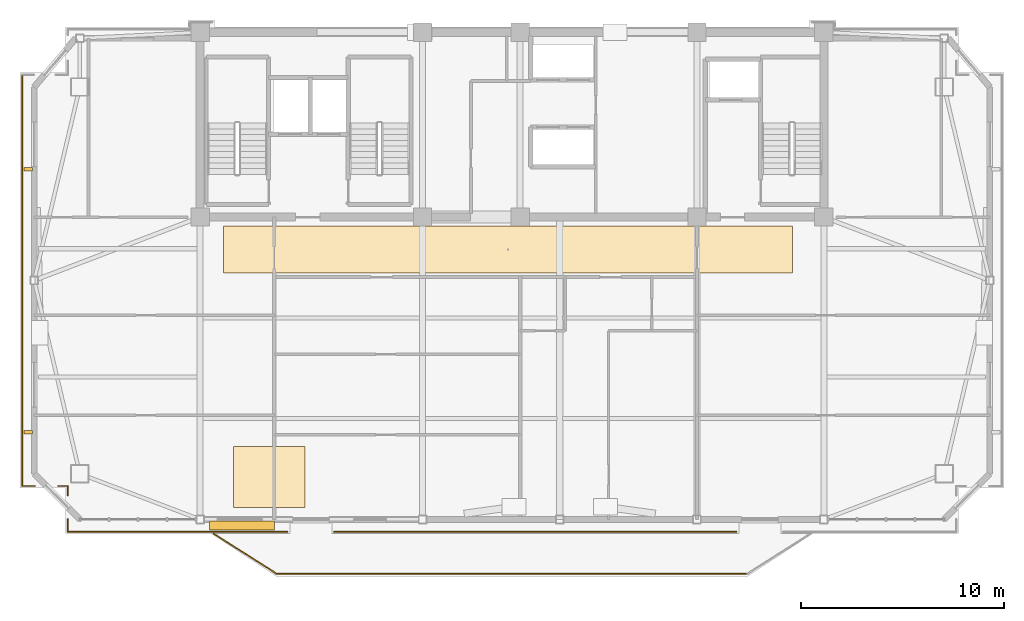
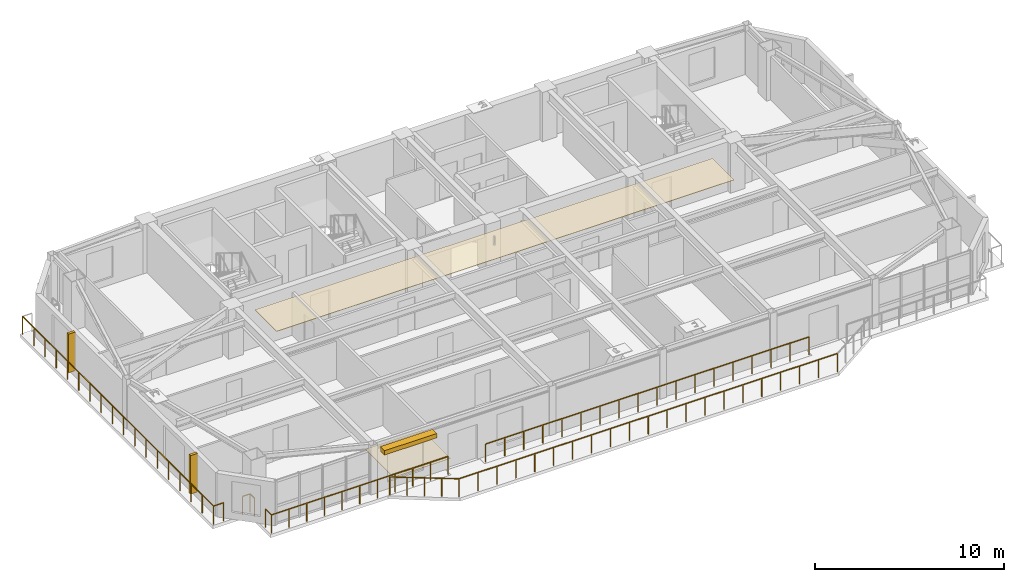
# One storey, part 10 of 12: 9 railings, 3 shading devices, 2 coverings.
"""IFC4 building model written with IfcOpenShell, lengths in metres."""

from ifc_helpers import new_model, si_unit, direction, frame, origin, origin_2d, place, context, subcontext, project, spatial, polyline, rectangle, outline, extrude, source, transform, mapped, material, layer, layer_set, type_object, element, save


model = new_model("IFC4")

# Units and contexts
model_context = context("Model", 3, precision=1e-05, world=origin(), true_north=direction((0.0, 1.0)))
body_context = subcontext(model_context, "Body", "Model", "MODEL_VIEW")
ifc_project = project(units=[si_unit("LENGTHUNIT", "METRE"), si_unit("AREAUNIT", "SQUARE_METRE"), si_unit("VOLUMEUNIT", "CUBIC_METRE"), si_unit("PLANEANGLEUNIT", "RADIAN"), si_unit("MASSUNIT", "GRAM", prefix="KILO")], contexts=[model_context])

# Site, building, storey
site_placement = place(None, origin())
site = spatial("IfcSite", under=ifc_project, at=site_placement, CompositionType="ELEMENT")
building_placement = place(site_placement, origin())
building = spatial("IfcBuilding", under=site, at=building_placement, Name="Giltprow Tower", CompositionType="ELEMENT")
storey_placement = place(building_placement, frame((0.0, 0.0, 339.10009765625)))
storey = spatial("IfcBuildingStorey", under=building, at=storey_placement, Name="L88", CompositionType="ELEMENT", Elevation=339.10009765625)

# Coverings
ifc_material_1 = material(Name="Painted gypsum board", Category="gypsum")
ifc_layer_1 = layer(ifc_material_1, 0.030029296875, Name="Painted gypsum board")
ifc_layer_set_1 = layer_set([ifc_layer_1], Name="Painted gypsum board")
covering_type_1 = type_object("IfcCoveringType", Name="COV-CLG-GYPSUM", PredefinedType="CEILING", material=ifc_layer_set_1)
covering_1_placement = place(storey_placement, frame((0.0, 0.0, 2.619873046875)))
element("IfcCovering", 1, at=covering_1_placement, inside=storey, type_object=covering_type_1, Name="L88 Residence Gallery Ceiling", PredefinedType="CEILING", context=body_context, shape_type="SweptSolid", body=[
    extrude(outline(polyline([(21.0, 34.699951171875), (49.0, 34.699951171875), (49.0, 37.0), (21.0, 37.0), (21.0, 34.699951171875)])), origin(), (0.0, 0.0, 1.0), 0.030029296875),
])
ifc_material_2 = material(Name="Engineered oak", Category="wood")
ifc_layer_2 = layer(ifc_material_2, 0.02490234375, Name="Engineered oak")
ifc_layer_set_2 = layer_set([ifc_layer_2], Name="Engineered oak")
covering_type_2 = type_object("IfcCoveringType", Name="COV-FLR-TIMBER", PredefinedType="FLOORING", material=ifc_layer_set_2)
covering_2_placement = place(storey_placement, origin())
element("IfcCovering", 2, at=covering_2_placement, inside=storey, type_object=covering_type_2, Name="L88 Residence Oak Parquet Flooring", PredefinedType="FLOORING", context=body_context, shape_type="SweptSolid", body=[
    extrude(outline(polyline([(21.5, 23.16796875), (25.0, 23.16796875), (25.0, 26.16796875), (21.5, 26.16796875), (21.5, 23.16796875)])), origin(), (0.0, 0.0, 1.0), 0.02490234375),
])

# Railings
ifc_material_3 = material(Name="Anodized bronze", Category="metal")
railing_type = type_object("IfcRailingType", Name="RAIL-BALC-GUARD-1200", PredefinedType="BALUSTRADE", material=ifc_material_3)
railing_1_placement = place(storey_placement, frame((20.52001953125, 21.867919921875, 0.0)))
element("IfcRailing", 3, at=railing_1_placement, inside=storey, type_object=railing_type, Name="L88 Waterfront Balcony Balustrade Seg 1", PredefinedType="BALUSTRADE", context=body_context, shape_type="SweptSolid", body=[
    extrude(rectangle(XDim=0.048095703125, YDim=0.048095703125, at=origin_2d()), frame((0.0, 0.0, 1.17578125), z_axis=(0.84277487735, -0.538266203757, 0.0), x_axis=(0.538266203757, 0.84277487735, 0.0)), (0.0, 0.0, 1.0), 3.678466796875),
    extrude(rectangle(XDim=0.0419921875, YDim=0.0419921875, at=origin_2d()), origin(), (0.0, 0.0, 1.0), 1.15185546875),
    extrude(rectangle(XDim=0.0419921875, YDim=0.0419921875, at=origin_2d()), frame((0.77490234375, -0.4951171875, 0.0)), (0.0, 0.0, 1.0), 1.15185546875),
    extrude(rectangle(XDim=0.0419921875, YDim=0.0419921875, at=origin_2d()), frame((1.550048828125, -0.989990234375, 0.0)), (0.0, 0.0, 1.0), 1.15185546875),
    extrude(rectangle(XDim=0.0419921875, YDim=0.0419921875, at=origin_2d()), frame((2.3251953125, -1.48486328125, 0.0)), (0.0, 0.0, 1.0), 1.15185546875),
    extrude(rectangle(XDim=0.0419921875, YDim=0.0419921875, at=origin_2d()), frame((3.10009765625, -1.97998046875, 0.0)), (0.0, 0.0, 1.0), 1.15185546875),
])
railing_2_placement = place(storey_placement, frame((23.6201171875, 19.887939453125, 0.0)))
element("IfcRailing", 4, at=railing_2_placement, inside=storey, type_object=railing_type, Name="L88 Waterfront Balcony Balustrade Seg 2", PredefinedType="BALUSTRADE", context=body_context, shape_type="SweptSolid", body=[
    extrude(rectangle(XDim=0.048095703125, YDim=0.048095703125, at=origin_2d()), frame((0.0, 0.0, 1.17578125), z_axis=(1.0, 0.0, 0.0), x_axis=(0.0, 1.0, 0.0)), (0.0, 0.0, 1.0), 23.159912109375),
    extrude(rectangle(XDim=0.0419921875, YDim=0.0419921875, at=origin_2d()), origin(), (0.0, 0.0, 1.0), 1.15185546875),
    extrude(rectangle(XDim=0.0419921875, YDim=0.0419921875, at=origin_2d()), frame((1.157958984375, 0.0, 0.0)), (0.0, 0.0, 1.0), 1.15185546875),
    extrude(rectangle(XDim=0.0419921875, YDim=0.0419921875, at=origin_2d()), frame((2.31591796875, 0.0, 0.0)), (0.0, 0.0, 1.0), 1.15185546875),
    extrude(rectangle(XDim=0.0419921875, YDim=0.0419921875, at=origin_2d()), frame((3.473876953125, 0.0, 0.0)), (0.0, 0.0, 1.0), 1.15185546875),
    extrude(rectangle(XDim=0.0419921875, YDim=0.0419921875, at=origin_2d()), frame((4.632080078125, 0.0, 0.0)), (0.0, 0.0, 1.0), 1.15185546875),
    extrude(rectangle(XDim=0.0419921875, YDim=0.0419921875, at=origin_2d()), frame((5.7900390625, 0.0, 0.0)), (0.0, 0.0, 1.0), 1.15185546875),
    extrude(rectangle(XDim=0.0419921875, YDim=0.0419921875, at=origin_2d()), frame((6.947998046875, 0.0, 0.0)), (0.0, 0.0, 1.0), 1.15185546875),
    extrude(rectangle(XDim=0.0419921875, YDim=0.0419921875, at=origin_2d()), frame((8.10595703125, 0.0, 0.0)), (0.0, 0.0, 1.0), 1.15185546875),
    extrude(rectangle(XDim=0.0419921875, YDim=0.0419921875, at=origin_2d()), frame((9.263916015625, 0.0, 0.0)), (0.0, 0.0, 1.0), 1.15185546875),
    extrude(rectangle(XDim=0.0419921875, YDim=0.0419921875, at=origin_2d()), frame((10.421875, 0.0, 0.0)), (0.0, 0.0, 1.0), 1.15185546875),
    extrude(rectangle(XDim=0.0419921875, YDim=0.0419921875, at=origin_2d()), frame((11.580078125, 0.0, 0.0)), (0.0, 0.0, 1.0), 1.15185546875),
    extrude(rectangle(XDim=0.0419921875, YDim=0.0419921875, at=origin_2d()), frame((12.738037109375, 0.0, 0.0)), (0.0, 0.0, 1.0), 1.15185546875),
    extrude(rectangle(XDim=0.0419921875, YDim=0.0419921875, at=origin_2d()), frame((13.89599609375, 0.0, 0.0)), (0.0, 0.0, 1.0), 1.15185546875),
    extrude(rectangle(XDim=0.0419921875, YDim=0.0419921875, at=origin_2d()), frame((15.053955078125, 0.0, 0.0)), (0.0, 0.0, 1.0), 1.15185546875),
    extrude(rectangle(XDim=0.0419921875, YDim=0.0419921875, at=origin_2d()), frame((16.2119140625, 0.0, 0.0)), (0.0, 0.0, 1.0), 1.15185546875),
    extrude(rectangle(XDim=0.0419921875, YDim=0.0419921875, at=origin_2d()), frame((17.369873046875, 0.0, 0.0)), (0.0, 0.0, 1.0), 1.15185546875),
    extrude(rectangle(XDim=0.0419921875, YDim=0.0419921875, at=origin_2d()), frame((18.52783203125, 0.0, 0.0)), (0.0, 0.0, 1.0), 1.15185546875),
    extrude(rectangle(XDim=0.0419921875, YDim=0.0419921875, at=origin_2d()), frame((19.68603515625, 0.0, 0.0)), (0.0, 0.0, 1.0), 1.15185546875),
    extrude(rectangle(XDim=0.0419921875, YDim=0.0419921875, at=origin_2d()), frame((20.843994140625, 0.0, 0.0)), (0.0, 0.0, 1.0), 1.15185546875),
    extrude(rectangle(XDim=0.0419921875, YDim=0.0419921875, at=origin_2d()), frame((22.001953125, 0.0, 0.0)), (0.0, 0.0, 1.0), 1.15185546875),
    extrude(rectangle(XDim=0.0419921875, YDim=0.0419921875, at=origin_2d()), frame((23.159912109375, 0.0, 0.0)), (0.0, 0.0, 1.0), 1.15185546875),
])
railing_3_placement = place(storey_placement, frame((46.25, 21.968017578125, 0.0)))
element("IfcRailing", 5, at=railing_3_placement, inside=storey, type_object=railing_type, Name="L88 Corner Apron Edge Balustrade 7", PredefinedType="BALUSTRADE", context=body_context, shape_type="SweptSolid", body=[
    extrude(rectangle(XDim=0.048095703125, YDim=0.048095703125, at=origin_2d()), frame((0.0, 0.0, 1.17578125), z_axis=(-1.0, 0.0, 0.0), x_axis=(0.0, -1.0, 0.0)), (0.0, 0.0, 1.0), 19.800048828125),
    extrude(rectangle(XDim=0.0419921875, YDim=0.0419921875, at=origin_2d()), origin(), (0.0, 0.0, 1.0), 1.15185546875),
    extrude(rectangle(XDim=0.0419921875, YDim=0.0419921875, at=origin_2d()), frame((-1.164794921875, 0.0, 0.0)), (0.0, 0.0, 1.0), 1.15185546875),
    extrude(rectangle(XDim=0.0419921875, YDim=0.0419921875, at=origin_2d()), frame((-2.329345703125, 0.0, 0.0)), (0.0, 0.0, 1.0), 1.15185546875),
    extrude(rectangle(XDim=0.0419921875, YDim=0.0419921875, at=origin_2d()), frame((-3.494140625, 0.0, 0.0)), (0.0, 0.0, 1.0), 1.15185546875),
    extrude(rectangle(XDim=0.0419921875, YDim=0.0419921875, at=origin_2d()), frame((-4.658935546875, 0.0, 0.0)), (0.0, 0.0, 1.0), 1.15185546875),
    extrude(rectangle(XDim=0.0419921875, YDim=0.0419921875, at=origin_2d()), frame((-5.823486328125, 0.0, 0.0)), (0.0, 0.0, 1.0), 1.15185546875),
    extrude(rectangle(XDim=0.0419921875, YDim=0.0419921875, at=origin_2d()), frame((-6.98828125, 0.0, 0.0)), (0.0, 0.0, 1.0), 1.15185546875),
    extrude(rectangle(XDim=0.0419921875, YDim=0.0419921875, at=origin_2d()), frame((-8.153076171875, 0.0, 0.0)), (0.0, 0.0, 1.0), 1.15185546875),
    extrude(rectangle(XDim=0.0419921875, YDim=0.0419921875, at=origin_2d()), frame((-9.317626953125, 0.0, 0.0)), (0.0, 0.0, 1.0), 1.15185546875),
    extrude(rectangle(XDim=0.0419921875, YDim=0.0419921875, at=origin_2d()), frame((-10.482421875, 0.0, 0.0)), (0.0, 0.0, 1.0), 1.15185546875),
    extrude(rectangle(XDim=0.0419921875, YDim=0.0419921875, at=origin_2d()), frame((-11.64697265625, 0.0, 0.0)), (0.0, 0.0, 1.0), 1.15185546875),
    extrude(rectangle(XDim=0.0419921875, YDim=0.0419921875, at=origin_2d()), frame((-12.811767578125, 0.0, 0.0)), (0.0, 0.0, 1.0), 1.15185546875),
    extrude(rectangle(XDim=0.0419921875, YDim=0.0419921875, at=origin_2d()), frame((-13.9765625, 0.0, 0.0)), (0.0, 0.0, 1.0), 1.15185546875),
    extrude(rectangle(XDim=0.0419921875, YDim=0.0419921875, at=origin_2d()), frame((-15.14111328125, 0.0, 0.0)), (0.0, 0.0, 1.0), 1.15185546875),
    extrude(rectangle(XDim=0.0419921875, YDim=0.0419921875, at=origin_2d()), frame((-16.305908203125, 0.0, 0.0)), (0.0, 0.0, 1.0), 1.15185546875),
    extrude(rectangle(XDim=0.0419921875, YDim=0.0419921875, at=origin_2d()), frame((-17.470703125, 0.0, 0.0)), (0.0, 0.0, 1.0), 1.15185546875),
    extrude(rectangle(XDim=0.0419921875, YDim=0.0419921875, at=origin_2d()), frame((-18.63525390625, 0.0, 0.0)), (0.0, 0.0, 1.0), 1.15185546875),
    extrude(rectangle(XDim=0.0419921875, YDim=0.0419921875, at=origin_2d()), frame((-19.800048828125, 0.0, 0.0)), (0.0, 0.0, 1.0), 1.15185546875),
])
railing_4_placement = place(storey_placement, frame((24.14990234375, 21.968017578125, 0.0)))
element("IfcRailing", 6, at=railing_4_placement, inside=storey, type_object=railing_type, Name="L88 Corner Apron Edge Balustrade 8", PredefinedType="BALUSTRADE", context=body_context, shape_type="SweptSolid", body=[
    extrude(rectangle(XDim=0.048095703125, YDim=0.048095703125, at=origin_2d()), frame((0.0, 0.0, 1.17578125), z_axis=(-1.0, 0.0, 0.0), x_axis=(0.0, -1.0, 0.0)), (0.0, 0.0, 1.0), 10.81884765625),
    extrude(rectangle(XDim=0.0419921875, YDim=0.0419921875, at=origin_2d()), origin(), (0.0, 0.0, 1.0), 1.15185546875),
    extrude(rectangle(XDim=0.0419921875, YDim=0.0419921875, at=origin_2d()), frame((-1.081787109375, 0.0, 0.0)), (0.0, 0.0, 1.0), 1.15185546875),
    extrude(rectangle(XDim=0.0419921875, YDim=0.0419921875, at=origin_2d()), frame((-2.163818359375, 0.0, 0.0)), (0.0, 0.0, 1.0), 1.15185546875),
    extrude(rectangle(XDim=0.0419921875, YDim=0.0419921875, at=origin_2d()), frame((-3.24560546875, 0.0, 0.0)), (0.0, 0.0, 1.0), 1.15185546875),
    extrude(rectangle(XDim=0.0419921875, YDim=0.0419921875, at=origin_2d()), frame((-4.32763671875, 0.0, 0.0)), (0.0, 0.0, 1.0), 1.15185546875),
    extrude(rectangle(XDim=0.0419921875, YDim=0.0419921875, at=origin_2d()), frame((-5.409423828125, 0.0, 0.0)), (0.0, 0.0, 1.0), 1.15185546875),
    extrude(rectangle(XDim=0.0419921875, YDim=0.0419921875, at=origin_2d()), frame((-6.4912109375, 0.0, 0.0)), (0.0, 0.0, 1.0), 1.15185546875),
    extrude(rectangle(XDim=0.0419921875, YDim=0.0419921875, at=origin_2d()), frame((-7.5732421875, 0.0, 0.0)), (0.0, 0.0, 1.0), 1.15185546875),
    extrude(rectangle(XDim=0.0419921875, YDim=0.0419921875, at=origin_2d()), frame((-8.655029296875, 0.0, 0.0)), (0.0, 0.0, 1.0), 1.15185546875),
    extrude(rectangle(XDim=0.0419921875, YDim=0.0419921875, at=origin_2d()), frame((-9.737060546875, 0.0, 0.0)), (0.0, 0.0, 1.0), 1.15185546875),
    extrude(rectangle(XDim=0.0419921875, YDim=0.0419921875, at=origin_2d()), frame((-10.81884765625, 0.0, 0.0)), (0.0, 0.0, 1.0), 1.15185546875),
])
railing_5_placement = place(storey_placement, frame((13.3310546875, 21.968017578125, 0.0)))
element("IfcRailing", 7, at=railing_5_placement, inside=storey, type_object=railing_type, Name="L88 Corner Apron Edge Balustrade 9", PredefinedType="BALUSTRADE", context=body_context, shape_type="SweptSolid", body=[
    extrude(rectangle(XDim=0.048095703125, YDim=0.048095703125, at=origin_2d()), frame((0.0, 0.0, 1.17578125), z_axis=(0.0, 1.0, 0.0), x_axis=(-1.0, 0.0, 0.0)), (0.0, 0.0, 1.0), 0.619873046875),
    extrude(rectangle(XDim=0.0419921875, YDim=0.0419921875, at=origin_2d()), origin(), (0.0, 0.0, 1.0), 1.15185546875),
    extrude(rectangle(XDim=0.0419921875, YDim=0.0419921875, at=origin_2d()), frame((0.0, 0.619873046875, 0.0)), (0.0, 0.0, 1.0), 1.15185546875),
])
railing_6_placement = place(storey_placement, frame((13.3310546875, 23.748046875, 0.0)))
element("IfcRailing", 8, at=railing_6_placement, inside=storey, type_object=railing_type, Name="L88 Corner Apron Edge Balustrade 10", PredefinedType="BALUSTRADE", context=body_context, shape_type="SweptSolid", body=[
    extrude(rectangle(XDim=0.048095703125, YDim=0.048095703125, at=origin_2d()), frame((0.0, 0.0, 1.17578125), z_axis=(0.0, 1.0, 0.0), x_axis=(-1.0, 0.0, 0.0)), (0.0, 0.0, 1.0), 0.466064453125),
    extrude(rectangle(XDim=0.0419921875, YDim=0.0419921875, at=origin_2d()), origin(), (0.0, 0.0, 1.0), 1.15185546875),
    extrude(rectangle(XDim=0.0419921875, YDim=0.0419921875, at=origin_2d()), frame((0.0, 0.466064453125, 0.0)), (0.0, 0.0, 1.0), 1.15185546875),
])
railing_7_placement = place(storey_placement, frame((13.3310546875, 24.214111328125, 0.0)))
element("IfcRailing", 9, at=railing_7_placement, inside=storey, type_object=railing_type, Name="L88 Corner Apron Edge Balustrade 11", PredefinedType="BALUSTRADE", context=body_context, shape_type="SweptSolid", body=[
    extrude(rectangle(XDim=0.048095703125, YDim=0.048095703125, at=origin_2d()), frame((0.0, 0.0, 1.17578125), z_axis=(-1.0, 0.0, 0.0), x_axis=(0.0, -1.0, 0.0)), (0.0, 0.0, 1.0), 0.466064453125),
    extrude(rectangle(XDim=0.0419921875, YDim=0.0419921875, at=origin_2d()), origin(), (0.0, 0.0, 1.0), 1.15185546875),
    extrude(rectangle(XDim=0.0419921875, YDim=0.0419921875, at=origin_2d()), frame((-0.466064453125, 0.0, 0.0)), (0.0, 0.0, 1.0), 1.15185546875),
])
railing_8_placement = place(storey_placement, frame((11.705078125, 24.214111328125, 0.0)))
element("IfcRailing", 10, at=railing_8_placement, inside=storey, type_object=railing_type, Name="L88 Corner Apron Edge Balustrade 12", PredefinedType="BALUSTRADE", context=body_context, shape_type="SweptSolid", body=[
    extrude(rectangle(XDim=0.048095703125, YDim=0.048095703125, at=origin_2d()), frame((0.0, 0.0, 1.17578125), z_axis=(-1.0, 0.0, 0.0), x_axis=(0.0, -1.0, 0.0)), (0.0, 0.0, 1.0), 0.6201171875),
    extrude(rectangle(XDim=0.0419921875, YDim=0.0419921875, at=origin_2d()), origin(), (0.0, 0.0, 1.0), 1.15185546875),
    extrude(rectangle(XDim=0.0419921875, YDim=0.0419921875, at=origin_2d()), frame((-0.6201171875, 0.0, 0.0)), (0.0, 0.0, 1.0), 1.15185546875),
])
railing_9_placement = place(storey_placement, frame((11.0849609375, 24.214111328125, 0.0)))
element("IfcRailing", 11, at=railing_9_placement, inside=storey, type_object=railing_type, Name="L88 Corner Apron Edge Balustrade 13", PredefinedType="BALUSTRADE", context=body_context, shape_type="SweptSolid", body=[
    extrude(rectangle(XDim=0.048095703125, YDim=0.048095703125, at=origin_2d()), frame((0.0, 0.0, 1.17578125), z_axis=(0.0, 1.0, 0.0), x_axis=(-1.0, 0.0, 0.0)), (0.0, 0.0, 1.0), 20.239990234375),
    extrude(rectangle(XDim=0.0419921875, YDim=0.0419921875, at=origin_2d()), origin(), (0.0, 0.0, 1.0), 1.15185546875),
    extrude(rectangle(XDim=0.0419921875, YDim=0.0419921875, at=origin_2d()), frame((0.0, 1.190673828125, 0.0)), (0.0, 0.0, 1.0), 1.15185546875),
    extrude(rectangle(XDim=0.0419921875, YDim=0.0419921875, at=origin_2d()), frame((0.0, 2.381103515625, 0.0)), (0.0, 0.0, 1.0), 1.15185546875),
    extrude(rectangle(XDim=0.0419921875, YDim=0.0419921875, at=origin_2d()), frame((0.0, 3.57177734375, 0.0)), (0.0, 0.0, 1.0), 1.15185546875),
    extrude(rectangle(XDim=0.0419921875, YDim=0.0419921875, at=origin_2d()), frame((0.0, 4.762451171875, 0.0)), (0.0, 0.0, 1.0), 1.15185546875),
    extrude(rectangle(XDim=0.0419921875, YDim=0.0419921875, at=origin_2d()), frame((0.0, 5.952880859375, 0.0)), (0.0, 0.0, 1.0), 1.15185546875),
    extrude(rectangle(XDim=0.0419921875, YDim=0.0419921875, at=origin_2d()), frame((0.0, 7.1435546875, 0.0)), (0.0, 0.0, 1.0), 1.15185546875),
    extrude(rectangle(XDim=0.0419921875, YDim=0.0419921875, at=origin_2d()), frame((0.0, 8.334228515625, 0.0)), (0.0, 0.0, 1.0), 1.15185546875),
    extrude(rectangle(XDim=0.0419921875, YDim=0.0419921875, at=origin_2d()), frame((0.0, 9.524658203125, 0.0)), (0.0, 0.0, 1.0), 1.15185546875),
    extrude(rectangle(XDim=0.0419921875, YDim=0.0419921875, at=origin_2d()), frame((0.0, 10.71533203125, 0.0)), (0.0, 0.0, 1.0), 1.15185546875),
    extrude(rectangle(XDim=0.0419921875, YDim=0.0419921875, at=origin_2d()), frame((0.0, 11.90576171875, 0.0)), (0.0, 0.0, 1.0), 1.15185546875),
    extrude(rectangle(XDim=0.0419921875, YDim=0.0419921875, at=origin_2d()), frame((0.0, 13.096435546875, 0.0)), (0.0, 0.0, 1.0), 1.15185546875),
    extrude(rectangle(XDim=0.0419921875, YDim=0.0419921875, at=origin_2d()), frame((0.0, 14.287109375, 0.0)), (0.0, 0.0, 1.0), 1.15185546875),
    extrude(rectangle(XDim=0.0419921875, YDim=0.0419921875, at=origin_2d()), frame((0.0, 15.4775390625, 0.0)), (0.0, 0.0, 1.0), 1.15185546875),
    extrude(rectangle(XDim=0.0419921875, YDim=0.0419921875, at=origin_2d()), frame((0.0, 16.668212890625, 0.0)), (0.0, 0.0, 1.0), 1.15185546875),
    extrude(rectangle(XDim=0.0419921875, YDim=0.0419921875, at=origin_2d()), frame((0.0, 17.85888671875, 0.0)), (0.0, 0.0, 1.0), 1.15185546875),
    extrude(rectangle(XDim=0.0419921875, YDim=0.0419921875, at=origin_2d()), frame((0.0, 19.04931640625, 0.0)), (0.0, 0.0, 1.0), 1.15185546875),
    extrude(rectangle(XDim=0.0419921875, YDim=0.0419921875, at=origin_2d()), frame((0.0, 20.239990234375, 0.0)), (0.0, 0.0, 1.0), 1.15185546875),
])

# Shading devices
shading_device_type_1 = type_object("IfcShadingDeviceType", Name="SHD-FIN-420", PredefinedType="USERDEFINED", material=ifc_material_3)
shared_shape_1 = source(origin(), body_context, "Body", "SweptSolid", [
    extrude(rectangle(XDim=0.419921875, YDim=0.159912109375, at=origin_2d()), origin(), (0.0, 0.0, 1.0), 2.5),
])
for number, where, z_axis, x_axis, name in (
    (12, (11.385009765625, 26.862060546875, 0.349853515625), (0.0, 0.0, 1.0), (1.0, 0.0, 0.0), "L88 W Bronze Vertical Fin 1-1"),
    (13, (11.385009765625, 39.80908203125, 0.349853515625), (0.0, 0.0, 1.0), (1.0, 0.0, 0.0), "L88 W Bronze Vertical Fin 2-1"),
):
    element("IfcShadingDevice", number, at=place(storey_placement, frame(where, z_axis=z_axis, x_axis=x_axis)), inside=storey, type_object=shading_device_type_1, Name=name, ObjectType="FIN", PredefinedType="USERDEFINED", context=body_context, shape_type="MappedRepresentation", body=[
        mapped(shared_shape_1, transform((0.0, 0.0, 0.0), x_axis=(1.0, 0.0, 0.0), y_axis=(0.0, 1.0, 0.0), z_axis=(0.0, 0.0, 1.0), scale=1.0)),
    ])
shading_device_type_2 = type_object("IfcShadingDeviceType", Name="SHD-LOUVRE-320", PredefinedType="JALOUSIE", material=ifc_material_3)
shared_shape_2 = source(origin(), body_context, "Body", "SweptSolid", [
    extrude(rectangle(XDim=3.199951171875, YDim=0.449951171875, at=origin_2d()), origin(), (0.0, 0.0, 1.0), 0.280029296875),
])
shading_device_placement = place(storey_placement, frame((21.89990234375, 22.26806640625, 2.56005859375), z_axis=(0.0, 0.0, 1.0), x_axis=(1.0, 0.0, 0.0)))
element("IfcShadingDevice", 14, at=shading_device_placement, inside=storey, type_object=shading_device_type_2, Name="L88 Bronze Sunshade Louvre S-2", PredefinedType="JALOUSIE", context=body_context, shape_type="MappedRepresentation", body=[
    mapped(shared_shape_2, transform((0.0, 0.0, 0.0), x_axis=(1.0, 0.0, 0.0), y_axis=(0.0, 1.0, 0.0), z_axis=(0.0, 0.0, 1.0), scale=1.0)),
])

save(model, "model.ifc")
